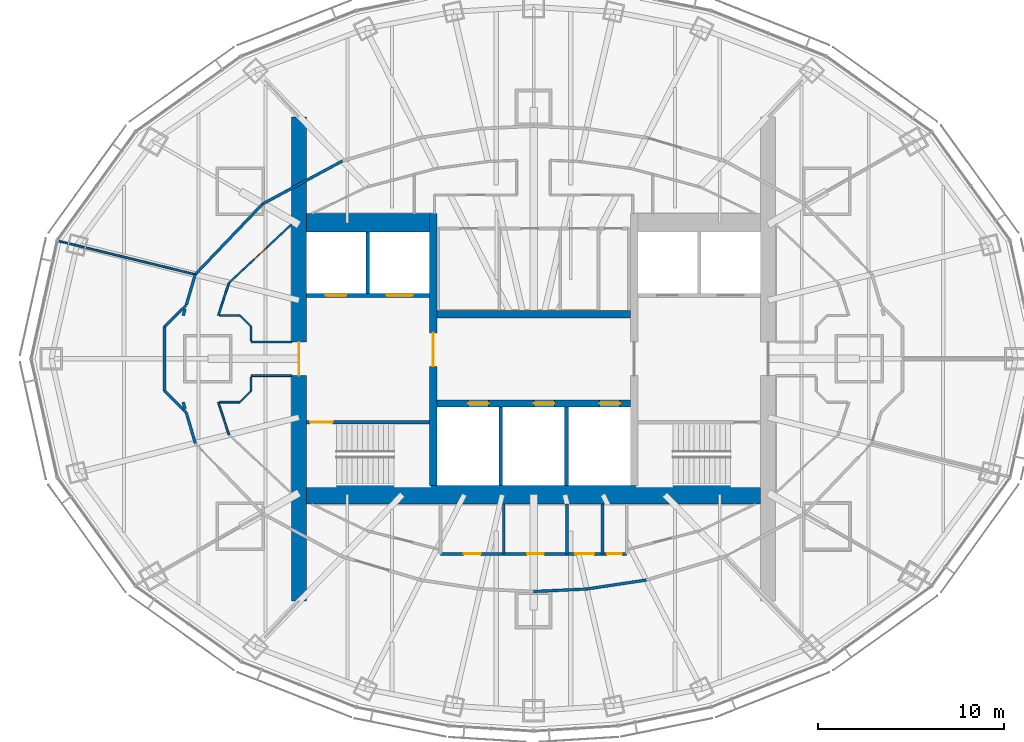
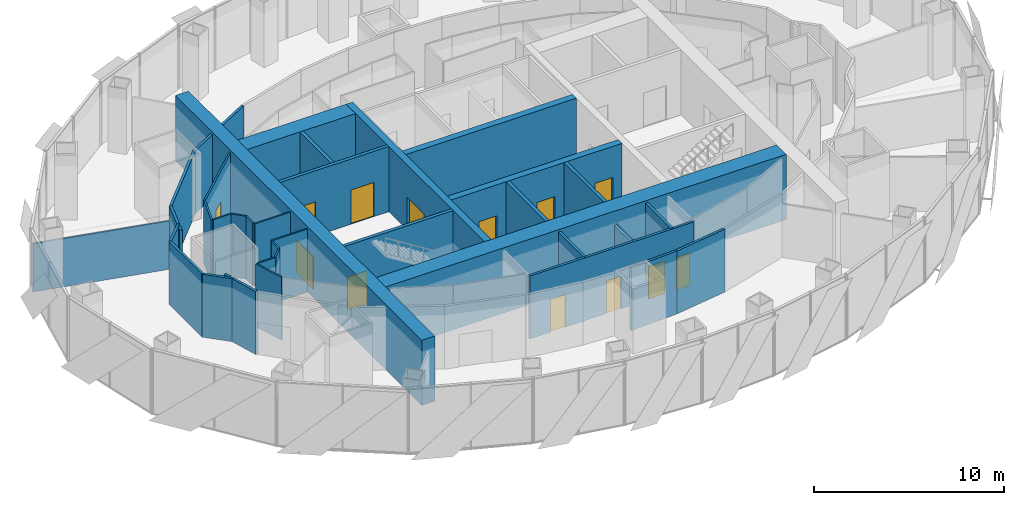
# One storey, part 12 of 17: 38 walls, 13 doors, 13 openings.
"""IFC4 building model written with IfcOpenShell, lengths in metres."""

from ifc_helpers import new_model, si_unit, direction, frame, frame_2d, origin, place, context, subcontext, project, spatial, rectangle, extrude, material, layer, layer_set, type_object, element, fill, save


model = new_model("IFC4")

# Units and contexts
model_context = context("Model", 3, precision=1e-05, world=origin(), true_north=direction((0.0, 1.0)))
body_context = subcontext(model_context, "Body", "Model", "MODEL_VIEW")
ifc_project = project(units=[si_unit("LENGTHUNIT", "METRE"), si_unit("AREAUNIT", "SQUARE_METRE"), si_unit("VOLUMEUNIT", "CUBIC_METRE"), si_unit("PLANEANGLEUNIT", "RADIAN"), si_unit("MASSUNIT", "GRAM", prefix="KILO")], contexts=[model_context])

# Site, building, storey
site_placement = place(None, origin())
site = spatial("IfcSite", under=ifc_project, at=site_placement, CompositionType="ELEMENT")
building_placement = place(site_placement, origin())
building = spatial("IfcBuilding", under=site, at=building_placement, Name="Lantaw Convention Tower", CompositionType="ELEMENT")
storey_placement = place(building_placement, frame((0.0, 0.0, 211.60009765625)))
storey = spatial("IfcBuildingStorey", under=building, at=storey_placement, Name="L49", CompositionType="ELEMENT", Elevation=211.60009765625)

# Walls
ifc_material_1 = material(Name="Concrete C60/75", Category="concrete")
ifc_layer_1 = layer(ifc_material_1, 1.0)
ifc_layer_set_1 = layer_set([ifc_layer_1], Name="Core wall 1000")
wall_type_1 = type_object("IfcWallType", Name="Core wall 1000", PredefinedType="SHEAR", material=ifc_layer_set_1)
wall_1_placement = place(storey_placement, frame((-12.199951171875, -7.300048828125, 0.0), z_axis=(0.0, 0.0, 1.0), x_axis=(1.0, 0.0, 0.0)))
element("IfcWall", 1, at=wall_1_placement, inside=storey, type_object=wall_type_1, Name="Core wall S", PredefinedType="SHEAR", context=body_context, shape_type="SweptSolid", body=[
    extrude(rectangle(XDim=24.39990234375, YDim=1.0, at=frame_2d((12.199951171875, 0.0))), origin(), (0.0, 0.0, 1.0), 4.199951171875),
])
wall_2_placement = place(storey_placement, frame((-5.60009765625, 7.300048828125, 0.0), z_axis=(0.0, 0.0, 1.0), x_axis=(-1.0, 0.0, 0.0)))
element("IfcWall", 2, at=wall_2_placement, inside=storey, type_object=wall_type_1, Name="Core wall NW", PredefinedType="SHEAR", context=body_context, shape_type="SweptSolid", body=[
    extrude(rectangle(XDim=6.599853515625, YDim=1.0, at=frame_2d((3.2998046875, 0.0))), origin(), (0.0, 0.0, 1.0), 4.199951171875),
])

# Wall, opening, door
ifc_layer_2 = layer(ifc_material_1, 0.199951171875)
ifc_layer_set_2 = layer_set([ifc_layer_2], Name="Core wall 200")
wall_type_2 = type_object("IfcWallType", Name="Core wall 200", PredefinedType="SHEAR", material=ifc_layer_set_2)
wall_3_placement = place(storey_placement, frame((-5.60009765625, -3.39990234375, 0.0), z_axis=(0.0, 0.0, 1.0), x_axis=(-1.0, 0.0, 0.0)))
wall_3 = element("IfcWall", 3, at=wall_3_placement, inside=storey, type_object=wall_type_2, Name="Core wall WS", PredefinedType="SHEAR", context=body_context, shape_type="SweptSolid", body=[
    extrude(rectangle(XDim=6.599853515625, YDim=0.199951171875, at=frame_2d((3.2998046875, 0.0))), origin(), (0.0, 0.0, 1.0), 4.199951171875),
])
opening_1_placement = place(wall_3_placement, frame((5.199951171875, 0.0, 0.0)))
opening_1 = element("IfcOpeningElement", 4, at=opening_1_placement, cuts=wall_3, Name="Opening L49.04", PredefinedType="OPENING", context=body_context, shape_type="SweptSolid", body=[
    extrude(rectangle(XDim=1.199951171875, YDim=2.10009765625, at=frame_2d((0.60009765625, 1.050048828125))), frame((0.0, 0.10986328125, 0.0), z_axis=(0.0, -1.0, 0.0), x_axis=(1.0, 0.0, 0.0)), (0.0, 0.0, 1.0), 0.219970703125),
])
ifc_material_2 = material(Name="Steel, fire rated", Category="steel")
door_type_1 = type_object("IfcDoorType", Name="Stair door FD90", OperationType="SINGLE_SWING_RIGHT", PredefinedType="DOOR", material=ifc_material_2)
door_1_placement = place(opening_1_placement, origin())
door_1 = element("IfcDoor", 5, at=door_1_placement, inside=storey, type_object=door_type_1, Name="Exit stair door", OperationType="SINGLE_SWING_RIGHT", OverallHeight=2.10009765625, OverallWidth=1.199951171875, PredefinedType="DOOR", context=body_context, shape_type="SweptSolid", body=[
    extrude(rectangle(XDim=1.199951171875, YDim=2.10009765625, at=frame_2d((0.60009765625, 1.050048828125))), frame((0.0, 0.02490234375, 0.0), z_axis=(0.0, -1.0, 0.0), x_axis=(1.0, 0.0, 0.0)), (0.0, 0.0, 1.0), 0.050048828125),
])
fill(opening_1, door_1)

ifc_layer_3 = layer(ifc_material_1, 0.39990234375)
ifc_layer_set_3 = layer_set([ifc_layer_3], Name="Core wall 400")
wall_type_3 = type_object("IfcWallType", Name="Core wall 400", PredefinedType="SHEAR", material=ifc_layer_set_3)
wall_4_placement = place(storey_placement, frame((-5.39990234375, 7.800048828125, 0.0), z_axis=(0.0, 0.0, 1.0), x_axis=(0.0, -1.0, 0.0)))
wall_4 = element("IfcWall", 6, at=wall_4_placement, inside=storey, type_object=wall_type_3, Name="Core wall XW", PredefinedType="SHEAR", context=body_context, shape_type="SweptSolid", body=[
    extrude(rectangle(XDim=14.60009765625, YDim=0.39990234375, at=frame_2d((7.300048828125, 0.0))), origin(), (0.0, 0.0, 1.0), 4.199951171875),
])
opening_2_placement = place(wall_4_placement, frame((6.39990234375, 0.0, 0.0)))
opening_2 = element("IfcOpeningElement", 7, at=opening_2_placement, cuts=wall_4, Name="Opening L49.02", PredefinedType="OPENING", context=body_context, shape_type="SweptSolid", body=[
    extrude(rectangle(XDim=1.800048828125, YDim=2.10009765625, at=frame_2d((0.89990234375, 1.050048828125))), frame((0.0, 0.2099609375, 0.0), z_axis=(0.0, -1.0, 0.0), x_axis=(1.0, 0.0, 0.0)), (0.0, 0.0, 1.0), 0.419921875),
])
door_type_2 = type_object("IfcDoorType", Name="Lobby double door FD90", OperationType="DOUBLE_DOOR_DOUBLE_SWING", PredefinedType="DOOR", material=ifc_material_2)
door_2_placement = place(opening_2_placement, origin())
door_2 = element("IfcDoor", 8, at=door_2_placement, inside=storey, type_object=door_type_2, Name="Lift lobby door", OperationType="DOUBLE_DOOR_DOUBLE_SWING", OverallHeight=2.10009765625, OverallWidth=1.800048828125, PredefinedType="DOOR", context=body_context, shape_type="SweptSolid", body=[
    extrude(rectangle(XDim=1.800048828125, YDim=2.10009765625, at=frame_2d((0.89990234375, 1.050048828125))), frame((0.0, 0.02490234375, 0.0), z_axis=(0.0, -1.0, 0.0), x_axis=(1.0, 0.0, 0.0)), (0.0, 0.0, 1.0), 0.050048828125),
])
fill(opening_2, door_2)

# Wall, openings, doors
wall_5_placement = place(storey_placement, frame((-5.199951171875, -2.39990234375, 0.0), z_axis=(0.0, 0.0, 1.0), x_axis=(1.0, 0.0, 0.0)))
wall_5 = element("IfcWall", 9, at=wall_5_placement, inside=storey, type_object=wall_type_3, Name="Core wall BS", PredefinedType="SHEAR", context=body_context, shape_type="SweptSolid", body=[
    extrude(rectangle(XDim=10.39990234375, YDim=0.39990234375, at=frame_2d((5.199951171875, 0.0))), origin(), (0.0, 0.0, 1.0), 4.199951171875),
])
opening_3_placement = place(wall_5_placement, frame((1.683349609375, 0.0, 0.0)))
opening_3 = element("IfcOpeningElement", 10, at=opening_3_placement, cuts=wall_5, Name="Opening L49.07", PredefinedType="OPENING", context=body_context, shape_type="SweptSolid", body=[
    extrude(rectangle(XDim=1.10009765625, YDim=2.199951171875, at=frame_2d((0.550048828125, 1.10009765625))), frame((0.0, 0.2099609375, 0.0), z_axis=(0.0, -1.0, 0.0), x_axis=(1.0, 0.0, 0.0)), (0.0, 0.0, 1.0), 0.419921875),
])
opening_4_placement = place(wall_5_placement, frame((5.216796875, 0.0, 0.0)))
opening_4 = element("IfcOpeningElement", 11, at=opening_4_placement, cuts=wall_5, Name="Opening L49.08", PredefinedType="OPENING", context=body_context, shape_type="SweptSolid", body=[
    extrude(rectangle(XDim=1.10009765625, YDim=2.199951171875, at=frame_2d((0.550048828125, 1.10009765625))), frame((0.0, 0.2099609375, 0.0), z_axis=(0.0, -1.0, 0.0), x_axis=(1.0, 0.0, 0.0)), (0.0, 0.0, 1.0), 0.419921875),
])
opening_5_placement = place(wall_5_placement, frame((8.75, 0.0, 0.0)))
opening_5 = element("IfcOpeningElement", 12, at=opening_5_placement, cuts=wall_5, Name="Opening L49.09", PredefinedType="OPENING", context=body_context, shape_type="SweptSolid", body=[
    extrude(rectangle(XDim=1.10009765625, YDim=2.199951171875, at=frame_2d((0.550048828125, 1.10009765625))), frame((0.0, 0.2099609375, 0.0), z_axis=(0.0, -1.0, 0.0), x_axis=(1.0, 0.0, 0.0)), (0.0, 0.0, 1.0), 0.419921875),
])
ifc_material_3 = material(Name="Stainless steel", Category="steel")
door_type_3 = type_object("IfcDoorType", Name="Lift landing door 1100", OperationType="DOUBLE_DOOR_SLIDING", PredefinedType="DOOR", material=ifc_material_3)
door_3_placement = place(opening_3_placement, origin())
door_3 = element("IfcDoor", 13, at=door_3_placement, inside=storey, type_object=door_type_3, Name="Lift landing door S1", OperationType="DOUBLE_DOOR_SLIDING", OverallHeight=2.199951171875, OverallWidth=1.10009765625, PredefinedType="DOOR", context=body_context, shape_type="SweptSolid", body=[
    extrude(rectangle(XDim=1.10009765625, YDim=2.199951171875, at=frame_2d((0.550048828125, 1.10009765625))), frame((0.0, 0.02490234375, 0.0), z_axis=(0.0, -1.0, 0.0), x_axis=(1.0, 0.0, 0.0)), (0.0, 0.0, 1.0), 0.050048828125),
])
fill(opening_3, door_3)
door_4_placement = place(opening_4_placement, origin())
door_4 = element("IfcDoor", 14, at=door_4_placement, inside=storey, type_object=door_type_3, Name="Lift landing door S2", OperationType="DOUBLE_DOOR_SLIDING", OverallHeight=2.199951171875, OverallWidth=1.10009765625, PredefinedType="DOOR", context=body_context, shape_type="SweptSolid", body=[
    extrude(rectangle(XDim=1.10009765625, YDim=2.199951171875, at=frame_2d((0.550048828125, 1.10009765625))), frame((0.0, 0.02490234375, 0.0), z_axis=(0.0, -1.0, 0.0), x_axis=(1.0, 0.0, 0.0)), (0.0, 0.0, 1.0), 0.050048828125),
])
fill(opening_4, door_4)
door_5_placement = place(opening_5_placement, origin())
door_5 = element("IfcDoor", 15, at=door_5_placement, inside=storey, type_object=door_type_3, Name="Lift landing door S3", OperationType="DOUBLE_DOOR_SLIDING", OverallHeight=2.199951171875, OverallWidth=1.10009765625, PredefinedType="DOOR", context=body_context, shape_type="SweptSolid", body=[
    extrude(rectangle(XDim=1.10009765625, YDim=2.199951171875, at=frame_2d((0.550048828125, 1.10009765625))), frame((0.0, 0.02490234375, 0.0), z_axis=(0.0, -1.0, 0.0), x_axis=(1.0, 0.0, 0.0)), (0.0, 0.0, 1.0), 0.050048828125),
])
fill(opening_5, door_5)

# Wall
wall_6_placement = place(storey_placement, frame((5.199951171875, 2.39990234375, 0.0), z_axis=(0.0, 0.0, 1.0), x_axis=(-1.0, 0.0, 0.0)))
element("IfcWall", 16, at=wall_6_placement, inside=storey, type_object=wall_type_3, Name="Core wall BN", PredefinedType="SHEAR", context=body_context, shape_type="SweptSolid", body=[
    extrude(rectangle(XDim=10.39990234375, YDim=0.39990234375, at=frame_2d((5.199951171875, 0.0))), origin(), (0.0, 0.0, 1.0), 4.199951171875),
])

# Wall, opening, door
ifc_layer_4 = layer(ifc_material_1, 0.800048828125)
ifc_layer_set_4 = layer_set([ifc_layer_4], Name="Core wall 800")
wall_type_4 = type_object("IfcWallType", Name="Core wall 800", PredefinedType="SHEAR", material=ifc_layer_set_4)
wall_7_placement = place(storey_placement, frame((-12.60009765625, 13.0, 0.0), z_axis=(0.0, 0.0, 1.0), x_axis=(0.0, -1.0, 0.0)))
wall_7 = element("IfcWall", 17, at=wall_7_placement, inside=storey, type_object=wall_type_4, Name="Core wall W", PredefinedType="SHEAR", context=body_context, shape_type="SweptSolid", body=[
    extrude(rectangle(XDim=26.0, YDim=0.800048828125, at=frame_2d((13.0, 0.0))), origin(), (0.0, 0.0, 1.0), 4.199951171875),
])
opening_6_placement = place(wall_7_placement, frame((12.10009765625, 0.0, 0.0)))
opening_6 = element("IfcOpeningElement", 18, at=opening_6_placement, cuts=wall_7, Name="Opening L49.06", PredefinedType="OPENING", context=body_context, shape_type="SweptSolid", body=[
    extrude(rectangle(XDim=1.800048828125, YDim=2.10009765625, at=frame_2d((0.89990234375, 1.050048828125))), frame((0.0, 0.409912109375, 0.0), z_axis=(0.0, -1.0, 0.0), x_axis=(1.0, 0.0, 0.0)), (0.0, 0.0, 1.0), 0.820068359375),
])
door_6_placement = place(opening_6_placement, origin())
door_6 = element("IfcDoor", 19, at=door_6_placement, inside=storey, type_object=door_type_2, Name="Firefighting lobby door", OperationType="DOUBLE_DOOR_DOUBLE_SWING", OverallHeight=2.10009765625, OverallWidth=1.800048828125, PredefinedType="DOOR", context=body_context, shape_type="SweptSolid", body=[
    extrude(rectangle(XDim=1.800048828125, YDim=2.10009765625, at=frame_2d((0.89990234375, 1.050048828125))), frame((0.0, 0.02490234375, 0.0), z_axis=(0.0, -1.0, 0.0), x_axis=(1.0, 0.0, 0.0)), (0.0, 0.0, 1.0), 0.050048828125),
])
fill(opening_6, door_6)

# Walls
ifc_material_4 = material(Name="Gypsum board on steel studs, fire rated", Category="steel")
ifc_layer_5 = layer(ifc_material_4, 0.14990234375)
ifc_layer_set_5 = layer_set([ifc_layer_5], Name="Corridor wall 150 EI 60")
wall_type_5 = type_object("IfcWallType", Name="Corridor wall 150 EI 60", PredefinedType="PARTITIONING", material=ifc_layer_set_5)
wall_8_placement = place(storey_placement, frame((-10.263671875, 10.62841796875, 0.0), z_axis=(0.0, 0.0, 1.0), x_axis=(-0.88053863253, -0.47397438393, 0.0)))
element("IfcWall", 20, at=wall_8_placement, inside=storey, type_object=wall_type_5, Name="Corridor wall 150", PredefinedType="PARTITIONING", context=body_context, shape_type="SweptSolid", body=[
    extrude(rectangle(XDim=4.874755859375, YDim=0.14990234375, at=frame_2d((2.4375, 0.0))), origin(), (0.0, 0.0, 1.0), 4.0498046875),
])
wall_9_placement = place(storey_placement, frame((-14.55615234375, 8.31787109375, 0.0), z_axis=(0.0, 0.0, 1.0), x_axis=(-0.690768413292, -0.723076067366, 0.0)))
element("IfcWall", 21, at=wall_9_placement, inside=storey, type_object=wall_type_5, Name="Corridor wall 150", PredefinedType="PARTITIONING", context=body_context, shape_type="SweptSolid", body=[
    extrude(rectangle(XDim=5.23681640625, YDim=0.14990234375, at=frame_2d((2.618408203125, 0.0))), origin(), (0.0, 0.0, 1.0), 4.0498046875),
])
wall_10_placement = place(storey_placement, frame((0.0, -12.5, 0.0), z_axis=(0.0, 0.0, 1.0), x_axis=(0.998887574055, 0.047155216016, 0.0)))
element("IfcWall", 22, at=wall_10_placement, inside=storey, type_object=wall_type_5, Name="Corridor wall 150", PredefinedType="PARTITIONING", context=body_context, shape_type="SweptSolid", body=[
    extrude(rectangle(XDim=2.85791015625, YDim=0.14990234375, at=frame_2d((1.428955078125, 0.0))), origin(), (0.0, 0.0, 1.0), 4.0498046875),
])
wall_11_placement = place(storey_placement, frame((2.854736328125, -12.365234375, 0.0), z_axis=(0.0, 0.0, 1.0), x_axis=(0.988800347251, 0.149244340852, 0.0)))
element("IfcWall", 23, at=wall_11_placement, inside=storey, type_object=wall_type_5, Name="Corridor wall 150", PredefinedType="PARTITIONING", context=body_context, shape_type="SweptSolid", body=[
    extrude(rectangle(XDim=3.235595703125, YDim=0.14990234375, at=frame_2d((1.61767578125, 0.0))), origin(), (0.0, 0.0, 1.0), 4.0498046875),
])
for number, where, z_axis, x_axis, name in (
    (24, (-18.173583984375, 4.53125, 0.0), (0.0, 0.0, 1.0), (-0.281027335084, -0.959699763955, 0.0), "Corridor wall 150"),
    (25, (-18.653076171875, -2.893798828125, 0.0), (0.0, 0.0, 1.0), (0.281027335084, -0.959699763955, 0.0), "Corridor wall 150"),
):
    element("IfcWall", number, at=place(storey_placement, frame(where, z_axis=z_axis, x_axis=x_axis)), inside=storey, type_object=wall_type_5, Name=name, PredefinedType="PARTITIONING", context=body_context, shape_type="SweptSolid", body=[
        extrude(rectangle(XDim=1.706298828125, YDim=0.14990234375, at=frame_2d((0.85302734375, 0.0))), origin(), (0.0, 0.0, 1.0), 4.0498046875),
    ])
wall_12_placement = place(storey_placement, frame((-18.666259765625, -2.866455078125, 0.0), z_axis=(0.0, 0.0, 1.0), x_axis=(-0.712265481509, 0.701910167935, 0.0)))
element("IfcWall", 26, at=wall_12_placement, inside=storey, type_object=wall_type_5, Name="Corridor wall 150", PredefinedType="PARTITIONING", context=body_context, shape_type="SweptSolid", body=[
    extrude(rectangle(XDim=1.626708984375, YDim=0.14990234375, at=frame_2d((0.8134765625, 0.0))), origin(), (0.0, 0.0, 1.0), 4.0498046875),
])
wall_13_placement = place(storey_placement, frame((-19.824951171875, -1.724609375, 0.0), z_axis=(0.0, 0.0, 1.0), x_axis=(0.0, 1.0, 0.0)))
element("IfcWall", 27, at=wall_13_placement, inside=storey, type_object=wall_type_5, Name="Corridor wall 150", PredefinedType="PARTITIONING", context=body_context, shape_type="SweptSolid", body=[
    extrude(rectangle(XDim=3.44921875, YDim=0.14990234375, at=frame_2d((1.724609375, 0.0))), origin(), (0.0, 0.0, 1.0), 4.0498046875),
])
wall_14_placement = place(storey_placement, frame((-19.824951171875, 1.724609375, 0.0), z_axis=(0.0, 0.0, 1.0), x_axis=(0.712265481509, 0.701910167935, 0.0)))
element("IfcWall", 28, at=wall_14_placement, inside=storey, type_object=wall_type_5, Name="Corridor wall 150", PredefinedType="PARTITIONING", context=body_context, shape_type="SweptSolid", body=[
    extrude(rectangle(XDim=1.626708984375, YDim=0.14990234375, at=frame_2d((0.8134765625, 0.0))), origin(), (0.0, 0.0, 1.0), 4.0498046875),
])
for number, where, z_axis, x_axis, name in (
    (29, (-18.71728515625, 2.673828125, 0.0), (0.0, 0.0, 1.0), (-0.281366391393, -0.959600413607, 0.0), "Corridor wall 150"),
    (30, (-18.819580078125, -2.324951171875, 0.0), (0.0, 0.0, 1.0), (0.281366391393, -0.959600413607, 0.0), "Corridor wall 150"),
):
    element("IfcWall", number, at=place(storey_placement, frame(where, z_axis=z_axis, x_axis=x_axis)), inside=storey, type_object=wall_type_5, Name=name, PredefinedType="PARTITIONING", context=body_context, shape_type="SweptSolid", body=[
        extrude(rectangle(XDim=0.363525390625, YDim=0.14990234375, at=frame_2d((0.181640625, 0.0))), origin(), (0.0, 0.0, 1.0), 4.0498046875),
    ])
ifc_material_5 = material(Name="Gypsum board on steel studs, acoustic", Category="steel")
ifc_layer_6 = layer(ifc_material_5, 0.10009765625)
ifc_layer_set_6 = layer_set([ifc_layer_6], Name="Office partition 100")
wall_type_6 = type_object("IfcWallType", Name="Office partition 100", PredefinedType="PARTITIONING", material=ifc_layer_set_6)
wall_15_placement = place(storey_placement, frame((-25.542724609375, 6.335693359375, 0.0), z_axis=(0.0, 0.0, 1.0), x_axis=(0.97130474594, -0.237838370569, 0.0)))
element("IfcWall", 31, at=wall_15_placement, inside=storey, type_object=wall_type_6, Name="Office partition 100", PredefinedType="PARTITIONING", context=body_context, shape_type="SweptSolid", body=[
    extrude(rectangle(XDim=7.5869140625, YDim=0.10009765625, at=frame_2d((3.79345703125, 0.0))), origin(), (0.0, 0.0, 1.0), 3.107666015625),
])

# Wall, opening, door
wall_16_placement = place(storey_placement, frame((-16.36279296875, 4.079833984375, 0.0), z_axis=(0.0, 0.0, 1.0), x_axis=(0.730651186567, 0.682750938167, 0.0)))
wall_16 = element("IfcWall", 32, at=wall_16_placement, inside=storey, type_object=wall_type_6, Name="Office partition 100", PredefinedType="PARTITIONING", context=body_context, shape_type="SweptSolid", body=[
    extrude(rectangle(XDim=4.6025390625, YDim=0.10009765625, at=frame_2d((2.30126953125, 0.0))), origin(), (0.0, 0.0, 1.0), 4.0498046875),
])
opening_7_placement = place(wall_16_placement, frame((1.851318359375, 0.0, 0.0)))
opening_7 = element("IfcOpeningElement", 33, at=opening_7_placement, cuts=wall_16, Name="Opening L49.31", PredefinedType="OPENING", context=body_context, shape_type="SweptSolid", body=[
    extrude(rectangle(XDim=0.89990234375, YDim=2.10009765625, at=frame_2d((0.449951171875, 1.050048828125))), frame((0.0, 0.06005859375, 0.0), z_axis=(0.0, -1.0, 0.0), x_axis=(1.0, 0.0, 0.0)), (0.0, 0.0, 1.0), 0.1201171875),
])
ifc_material_6 = material(Name="Timber", Category="wood")
door_type_4 = type_object("IfcDoorType", Name="Office door 900", OperationType="SINGLE_SWING_LEFT", PredefinedType="DOOR", material=ifc_material_6)
door_7_placement = place(opening_7_placement, origin())
door_7 = element("IfcDoor", 34, at=door_7_placement, inside=storey, type_object=door_type_4, Name="Project room door", OperationType="SINGLE_SWING_LEFT", OverallHeight=2.10009765625, OverallWidth=0.89990234375, PredefinedType="DOOR", context=body_context, shape_type="SweptSolid", body=[
    extrude(rectangle(XDim=0.89990234375, YDim=2.10009765625, at=frame_2d((0.449951171875, 1.050048828125))), frame((0.0, 0.02490234375, 0.0), z_axis=(0.0, -1.0, 0.0), x_axis=(1.0, 0.0, 0.0)), (0.0, 0.0, 1.0), 0.050048828125),
])
fill(opening_7, door_7)

# Walls
wall_17_placement = place(storey_placement, frame((-16.36279296875, -4.079833984375, 0.0), z_axis=(0.0, 0.0, 1.0), x_axis=(-0.311517212063, 0.950240509865, 0.0)))
element("IfcWall", 35, at=wall_17_placement, inside=storey, type_object=wall_type_6, Name="Office partition 100", PredefinedType="PARTITIONING", context=body_context, shape_type="SweptSolid", body=[
    extrude(rectangle(XDim=1.836181640625, YDim=0.10009765625, at=frame_2d((0.91796875, 0.0))), origin(), (0.0, 0.0, 1.0), 4.0498046875),
])
for number, where, z_axis, x_axis, name in (
    (36, (-15.1650390625, -0.89990234375, 0.0), (0.0, 0.0, 1.0), (1.0, 0.0, 0.0), "Office partition 100"),
    (37, (-13.0, 0.89990234375, 0.0), (0.0, 0.0, 1.0), (-1.0, 0.0, 0.0), "Office partition 100"),
):
    element("IfcWall", number, at=place(storey_placement, frame(where, z_axis=z_axis, x_axis=x_axis)), inside=storey, type_object=wall_type_6, Name=name, PredefinedType="PARTITIONING", context=body_context, shape_type="SweptSolid", body=[
        extrude(rectangle(XDim=2.1650390625, YDim=0.10009765625, at=frame_2d((1.08251953125, 0.0))), origin(), (0.0, 0.0, 1.0), 4.0498046875),
    ])
wall_18_placement = place(storey_placement, frame((-16.934814453125, 2.3349609375, 0.0), z_axis=(0.0, 0.0, 1.0), x_axis=(0.311517212063, 0.950240509865, 0.0)))
element("IfcWall", 38, at=wall_18_placement, inside=storey, type_object=wall_type_6, Name="Office partition 100", PredefinedType="PARTITIONING", context=body_context, shape_type="SweptSolid", body=[
    extrude(rectangle(XDim=1.836181640625, YDim=0.10009765625, at=frame_2d((0.91796875, 0.0))), origin(), (0.0, 0.0, 1.0), 4.0498046875),
])
wall_19_placement = place(storey_placement, frame((-15.175048828125, -0.978271484375, 0.0), z_axis=(0.0, 0.0, 1.0), x_axis=(0.0, -1.0, 0.0)))
element("IfcWall", 39, at=wall_19_placement, inside=storey, type_object=wall_type_6, Name="Office partition 100", PredefinedType="PARTITIONING", context=body_context, shape_type="SweptSolid", body=[
    extrude(rectangle(XDim=0.746337890625, YDim=0.10009765625, at=frame_2d((0.373046875, 0.0))), origin(), (0.0, 0.0, 1.0), 4.0498046875),
])
wall_20_placement = place(storey_placement, frame((-15.175048828125, -1.724609375, 0.0), z_axis=(0.0, 0.0, 1.0), x_axis=(-0.707106781187, -0.707106781187, 0.0)))
element("IfcWall", 40, at=wall_20_placement, inside=storey, type_object=wall_type_6, Name="Office partition 100", PredefinedType="PARTITIONING", context=body_context, shape_type="SweptSolid", body=[
    extrude(rectangle(XDim=0.84912109375, YDim=0.10009765625, at=frame_2d((0.424560546875, 0.0))), origin(), (0.0, 0.0, 1.0), 4.0498046875),
])
for number, where, z_axis, x_axis, name in (
    (41, (-15.775390625, -2.324951171875, 0.0), (0.0, 0.0, 1.0), (-1.0, 0.0, 0.0), "Office partition 100"),
    (42, (-16.853759765625, 2.324951171875, 0.0), (0.0, 0.0, 1.0), (1.0, 0.0, 0.0), "Office partition 100"),
):
    element("IfcWall", number, at=place(storey_placement, frame(where, z_axis=z_axis, x_axis=x_axis)), inside=storey, type_object=wall_type_6, Name=name, PredefinedType="PARTITIONING", context=body_context, shape_type="SweptSolid", body=[
        extrude(rectangle(XDim=1.078369140625, YDim=0.10009765625, at=frame_2d((0.5390625, 0.0))), origin(), (0.0, 0.0, 1.0), 4.0498046875),
    ])
wall_21_placement = place(storey_placement, frame((-15.775390625, 2.324951171875, 0.0), z_axis=(0.0, 0.0, 1.0), x_axis=(0.707106781187, -0.707106781187, 0.0)))
element("IfcWall", 43, at=wall_21_placement, inside=storey, type_object=wall_type_6, Name="Office partition 100", PredefinedType="PARTITIONING", context=body_context, shape_type="SweptSolid", body=[
    extrude(rectangle(XDim=0.84912109375, YDim=0.10009765625, at=frame_2d((0.424560546875, 0.0))), origin(), (0.0, 0.0, 1.0), 4.0498046875),
])
wall_22_placement = place(storey_placement, frame((-15.175048828125, 1.724609375, 0.0), z_axis=(0.0, 0.0, 1.0), x_axis=(0.0, -1.0, 0.0)))
element("IfcWall", 44, at=wall_22_placement, inside=storey, type_object=wall_type_6, Name="Office partition 100", PredefinedType="PARTITIONING", context=body_context, shape_type="SweptSolid", body=[
    extrude(rectangle(XDim=0.746337890625, YDim=0.10009765625, at=frame_2d((0.373046875, 0.0))), origin(), (0.0, 0.0, 1.0), 4.0498046875),
])

# Wall, openings, doors
ifc_material_7 = material(Name="Concrete blockwork, fire rated", Category="masonry")
ifc_layer_7 = layer(ifc_material_7, 0.199951171875)
ifc_layer_set_7 = layer_set([ifc_layer_7], Name="Shaft wall 200")
wall_type_7 = type_object("IfcWallType", Name="Shaft wall 200", PredefinedType="SOLIDWALL", material=ifc_layer_set_7)
wall_23_placement = place(storey_placement, frame((-12.199951171875, 3.39990234375, 0.0), z_axis=(0.0, 0.0, 1.0), x_axis=(1.0, 0.0, 0.0)))
wall_23 = element("IfcWall", 45, at=wall_23_placement, inside=storey, type_object=wall_type_7, Name="Shaft wall WN", PredefinedType="SOLIDWALL", context=body_context, shape_type="SweptSolid", body=[
    extrude(rectangle(XDim=6.599853515625, YDim=0.199951171875, at=frame_2d((3.2998046875, 0.0))), origin(), (0.0, 0.0, 1.0), 4.199951171875),
])
opening_8_placement = place(wall_23_placement, frame((1.050048828125, 0.0, 0.0)))
opening_8 = element("IfcOpeningElement", 46, at=opening_8_placement, cuts=wall_23, Name="Opening L49.10", PredefinedType="OPENING", context=body_context, shape_type="SweptSolid", body=[
    extrude(rectangle(XDim=1.10009765625, YDim=2.199951171875, at=frame_2d((0.550048828125, 1.10009765625))), frame((0.0, 0.10986328125, 0.0), z_axis=(0.0, -1.0, 0.0), x_axis=(1.0, 0.0, 0.0)), (0.0, 0.0, 1.0), 0.219970703125),
])
opening_9_placement = place(wall_23_placement, frame((4.300048828125, 0.0, 0.0)))
opening_9 = element("IfcOpeningElement", 47, at=opening_9_placement, cuts=wall_23, Name="Opening L49.11", PredefinedType="OPENING", context=body_context, shape_type="SweptSolid", body=[
    extrude(rectangle(XDim=1.39990234375, YDim=2.199951171875, at=frame_2d((0.699951171875, 1.10009765625))), frame((0.0, 0.10986328125, 0.0), z_axis=(0.0, -1.0, 0.0), x_axis=(1.0, 0.0, 0.0)), (0.0, 0.0, 1.0), 0.219970703125),
])
door_8_placement = place(opening_8_placement, origin())
door_8 = element("IfcDoor", 48, at=door_8_placement, inside=storey, type_object=door_type_3, Name="Lift landing door FF1", OperationType="DOUBLE_DOOR_SLIDING", OverallHeight=2.199951171875, OverallWidth=1.10009765625, PredefinedType="DOOR", context=body_context, shape_type="SweptSolid", body=[
    extrude(rectangle(XDim=1.10009765625, YDim=2.199951171875, at=frame_2d((0.550048828125, 1.10009765625))), frame((0.0, 0.02490234375, 0.0), z_axis=(0.0, -1.0, 0.0), x_axis=(1.0, 0.0, 0.0)), (0.0, 0.0, 1.0), 0.050048828125),
])
fill(opening_8, door_8)
door_type_5 = type_object("IfcDoorType", Name="Lift landing door 1400", OperationType="DOUBLE_DOOR_SLIDING", PredefinedType="DOOR", material=ifc_material_3)
door_9_placement = place(opening_9_placement, origin())
door_9 = element("IfcDoor", 49, at=door_9_placement, inside=storey, type_object=door_type_5, Name="Lift landing door SV1", OperationType="DOUBLE_DOOR_SLIDING", OverallHeight=2.199951171875, OverallWidth=1.39990234375, PredefinedType="DOOR", context=body_context, shape_type="SweptSolid", body=[
    extrude(rectangle(XDim=1.39990234375, YDim=2.199951171875, at=frame_2d((0.699951171875, 1.10009765625))), frame((0.0, 0.02490234375, 0.0), z_axis=(0.0, -1.0, 0.0), x_axis=(1.0, 0.0, 0.0)), (0.0, 0.0, 1.0), 0.050048828125),
])
fill(opening_9, door_9)

# Walls
wall_24_placement = place(storey_placement, frame((-8.89990234375, 3.5, 0.0), z_axis=(0.0, 0.0, 1.0), x_axis=(0.0, 1.0, 0.0)))
element("IfcWall", 50, at=wall_24_placement, inside=storey, type_object=wall_type_7, Name="Shaft wall WD", PredefinedType="SOLIDWALL", context=body_context, shape_type="SweptSolid", body=[
    extrude(rectangle(XDim=3.300048828125, YDim=0.199951171875, at=frame_2d((1.64990234375, 0.0))), origin(), (0.0, 0.0, 1.0), 4.199951171875),
])
ifc_layer_8 = layer(ifc_material_7, 0.199951171875)
ifc_layer_set_8 = layer_set([ifc_layer_8], Name="Shaft wall 200 load-bearing")
wall_type_8 = type_object("IfcWallType", Name="Shaft wall 200 load-bearing", PredefinedType="SOLIDWALL", material=ifc_layer_set_8)
for number, where, z_axis, x_axis, name in (
    (51, (-1.7666015625, -2.60009765625, 0.0), (0.0, 0.0, 1.0), (0.0, -1.0, 0.0), "Shaft wall DS1"),
    (52, (1.7666015625, -2.60009765625, 0.0), (0.0, 0.0, 1.0), (0.0, -1.0, 0.0), "Shaft wall DS2"),
):
    element("IfcWall", number, at=place(storey_placement, frame(where, z_axis=z_axis, x_axis=x_axis)), inside=storey, type_object=wall_type_8, Name=name, PredefinedType="SOLIDWALL", context=body_context, shape_type="SweptSolid", body=[
        extrude(rectangle(XDim=4.199951171875, YDim=0.199951171875, at=frame_2d((2.10009765625, 0.0))), origin(), (0.0, 0.0, 1.0), 4.199951171875),
    ])

# Wall, openings, doors
ifc_material_8 = material(Name="Concrete blockwork", Category="masonry")
ifc_layer_9 = layer(ifc_material_8, 0.14990234375)
ifc_layer_set_9 = layer_set([ifc_layer_9], Name="WC wall 150")
wall_type_9 = type_object("IfcWallType", Name="WC wall 150", PredefinedType="SOLIDWALL", material=ifc_layer_set_9)
wall_25_placement = place(storey_placement, frame((-5.0, -10.48193359375, 0.0), z_axis=(0.0, 0.0, 1.0), x_axis=(1.0, 0.0, 0.0)))
wall_25 = element("IfcWall", 53, at=wall_25_placement, inside=storey, type_object=wall_type_9, Name="WC wall 150", PredefinedType="SOLIDWALL", context=body_context, shape_type="SweptSolid", body=[
    extrude(rectangle(XDim=10.0, YDim=0.14990234375, at=frame_2d((5.0, 0.0))), origin(), (0.0, 0.0, 1.0), 4.0498046875),
])
opening_10_placement = place(wall_25_placement, frame((1.25, 0.0, 0.0)))
opening_10 = element("IfcOpeningElement", 54, at=opening_10_placement, cuts=wall_25, Name="Opening L49.18", PredefinedType="OPENING", context=body_context, shape_type="SweptSolid", body=[
    extrude(rectangle(XDim=0.89990234375, YDim=2.10009765625, at=frame_2d((0.449951171875, 1.050048828125))), frame((0.0, 0.0849609375, 0.0), z_axis=(0.0, -1.0, 0.0), x_axis=(1.0, 0.0, 0.0)), (0.0, 0.0, 1.0), 0.169921875),
])
opening_11_placement = place(wall_25_placement, frame((4.64990234375, 0.0, 0.0)))
opening_11 = element("IfcOpeningElement", 55, at=opening_11_placement, cuts=wall_25, Name="Opening L49.19", PredefinedType="OPENING", context=body_context, shape_type="SweptSolid", body=[
    extrude(rectangle(XDim=0.89990234375, YDim=2.10009765625, at=frame_2d((0.449951171875, 1.050048828125))), frame((0.0, 0.0849609375, 0.0), z_axis=(0.0, -1.0, 0.0), x_axis=(1.0, 0.0, 0.0)), (0.0, 0.0, 1.0), 0.169921875),
])
opening_12_placement = place(wall_25_placement, frame((7.25, 0.0, 0.0)))
opening_12 = element("IfcOpeningElement", 56, at=opening_12_placement, cuts=wall_25, Name="Opening L49.20", PredefinedType="OPENING", context=body_context, shape_type="SweptSolid", body=[
    extrude(rectangle(XDim=1.0, YDim=2.10009765625, at=frame_2d((0.5, 1.050048828125))), frame((0.0, 0.0849609375, 0.0), z_axis=(0.0, -1.0, 0.0), x_axis=(1.0, 0.0, 0.0)), (0.0, 0.0, 1.0), 0.169921875),
])
opening_13_placement = place(wall_25_placement, frame((8.949951171875, 0.0, 0.0)))
opening_13 = element("IfcOpeningElement", 57, at=opening_13_placement, cuts=wall_25, Name="Opening L49.21", PredefinedType="OPENING", context=body_context, shape_type="SweptSolid", body=[
    extrude(rectangle(XDim=0.800048828125, YDim=2.10009765625, at=frame_2d((0.39990234375, 1.050048828125))), frame((0.0, 0.0849609375, 0.0), z_axis=(0.0, -1.0, 0.0), x_axis=(1.0, 0.0, 0.0)), (0.0, 0.0, 1.0), 0.169921875),
])
door_type_6 = type_object("IfcDoorType", Name="Accessible WC door 1000", OperationType="SINGLE_SWING_LEFT", PredefinedType="DOOR", material=ifc_material_6)
door_10_placement = place(opening_12_placement, origin())
door_10 = element("IfcDoor", 58, at=door_10_placement, inside=storey, type_object=door_type_6, Name="Accessible WC door", OperationType="SINGLE_SWING_LEFT", OverallHeight=2.10009765625, OverallWidth=1.0, PredefinedType="DOOR", context=body_context, shape_type="SweptSolid", body=[
    extrude(rectangle(XDim=1.0, YDim=2.10009765625, at=frame_2d((0.5, 1.050048828125))), frame((0.0, 0.02490234375, 0.0), z_axis=(0.0, -1.0, 0.0), x_axis=(1.0, 0.0, 0.0)), (0.0, 0.0, 1.0), 0.050048828125),
])
fill(opening_12, door_10)
door_type_7 = type_object("IfcDoorType", Name="WC door 800", OperationType="SINGLE_SWING_LEFT", PredefinedType="DOOR", material=ifc_material_6)
door_11_placement = place(opening_13_placement, origin())
door_11 = element("IfcDoor", 59, at=door_11_placement, inside=storey, type_object=door_type_7, Name="Pantry door", OperationType="SINGLE_SWING_LEFT", OverallHeight=2.10009765625, OverallWidth=0.800048828125, PredefinedType="DOOR", context=body_context, shape_type="SweptSolid", body=[
    extrude(rectangle(XDim=0.800048828125, YDim=2.10009765625, at=frame_2d((0.39990234375, 1.050048828125))), frame((0.0, 0.02490234375, 0.0), z_axis=(0.0, -1.0, 0.0), x_axis=(1.0, 0.0, 0.0)), (0.0, 0.0, 1.0), 0.050048828125),
])
fill(opening_13, door_11)
door_type_8 = type_object("IfcDoorType", Name="WC door 900", OperationType="SINGLE_SWING_LEFT", PredefinedType="DOOR", material=ifc_material_6)
door_12_placement = place(opening_10_placement, origin())
door_12 = element("IfcDoor", 60, at=door_12_placement, inside=storey, type_object=door_type_8, Name="Female WC door", OperationType="SINGLE_SWING_LEFT", OverallHeight=2.10009765625, OverallWidth=0.89990234375, PredefinedType="DOOR", context=body_context, shape_type="SweptSolid", body=[
    extrude(rectangle(XDim=0.89990234375, YDim=2.10009765625, at=frame_2d((0.449951171875, 1.050048828125))), frame((0.0, 0.02490234375, 0.0), z_axis=(0.0, -1.0, 0.0), x_axis=(1.0, 0.0, 0.0)), (0.0, 0.0, 1.0), 0.050048828125),
])
fill(opening_10, door_12)
door_13_placement = place(opening_11_placement, origin())
door_13 = element("IfcDoor", 61, at=door_13_placement, inside=storey, type_object=door_type_8, Name="Male WC door", OperationType="SINGLE_SWING_LEFT", OverallHeight=2.10009765625, OverallWidth=0.89990234375, PredefinedType="DOOR", context=body_context, shape_type="SweptSolid", body=[
    extrude(rectangle(XDim=0.89990234375, YDim=2.10009765625, at=frame_2d((0.449951171875, 1.050048828125))), frame((0.0, 0.02490234375, 0.0), z_axis=(0.0, -1.0, 0.0), x_axis=(1.0, 0.0, 0.0)), (0.0, 0.0, 1.0), 0.050048828125),
])
fill(opening_11, door_13)

# Walls
wall_26_placement = place(storey_placement, frame((-1.60009765625, -7.800048828125, 0.0), z_axis=(0.0, 0.0, 1.0), x_axis=(0.0, -1.0, 0.0)))
element("IfcWall", 62, at=wall_26_placement, inside=storey, type_object=wall_type_9, Name="WC wall 150", PredefinedType="SOLIDWALL", context=body_context, shape_type="SweptSolid", body=[
    extrude(rectangle(XDim=2.681884765625, YDim=0.14990234375, at=frame_2d((1.3408203125, 0.0))), origin(), (0.0, 0.0, 1.0), 4.0498046875),
])
wall_27_placement = place(storey_placement, frame((1.800048828125, -7.800048828125, 0.0), z_axis=(0.0, 0.0, 1.0), x_axis=(0.0, -1.0, 0.0)))
element("IfcWall", 63, at=wall_27_placement, inside=storey, type_object=wall_type_9, Name="WC wall 150", PredefinedType="SOLIDWALL", context=body_context, shape_type="SweptSolid", body=[
    extrude(rectangle(XDim=2.681884765625, YDim=0.14990234375, at=frame_2d((1.3408203125, 0.0))), origin(), (0.0, 0.0, 1.0), 3.29296875),
])
wall_28_placement = place(storey_placement, frame((3.699951171875, -7.800048828125, 0.0), z_axis=(0.0, 0.0, 1.0), x_axis=(0.0, -1.0, 0.0)))
element("IfcWall", 64, at=wall_28_placement, inside=storey, type_object=wall_type_9, Name="WC wall 150", PredefinedType="SOLIDWALL", context=body_context, shape_type="SweptSolid", body=[
    extrude(rectangle(XDim=2.681884765625, YDim=0.14990234375, at=frame_2d((1.3408203125, 0.0))), origin(), (0.0, 0.0, 1.0), 4.0498046875),
])

save(model, "model.ifc")
